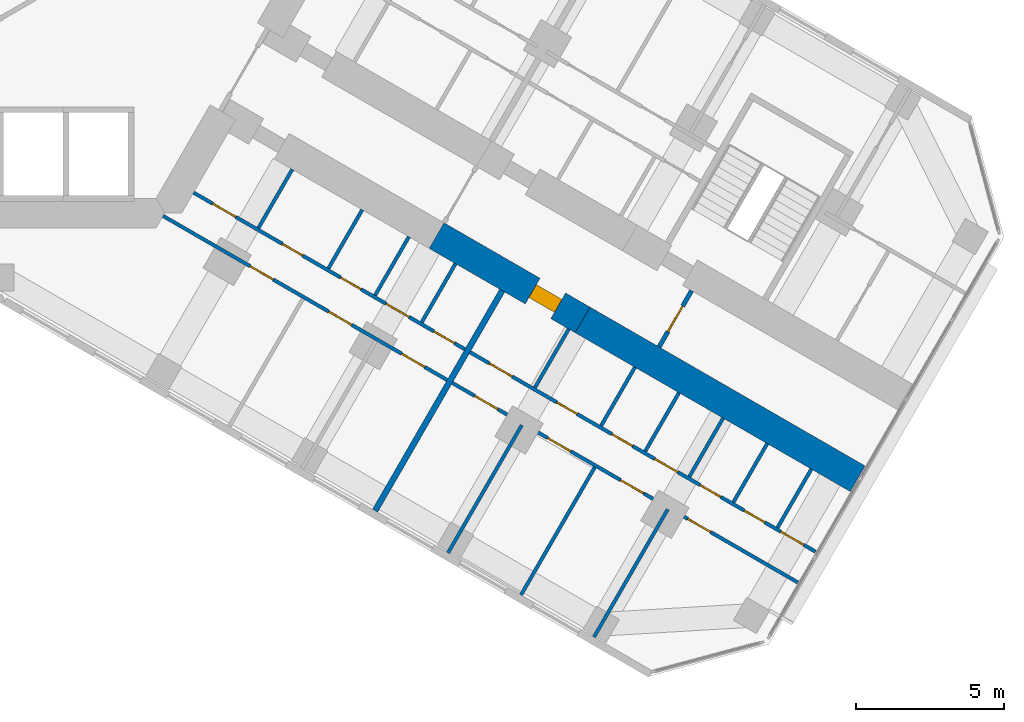
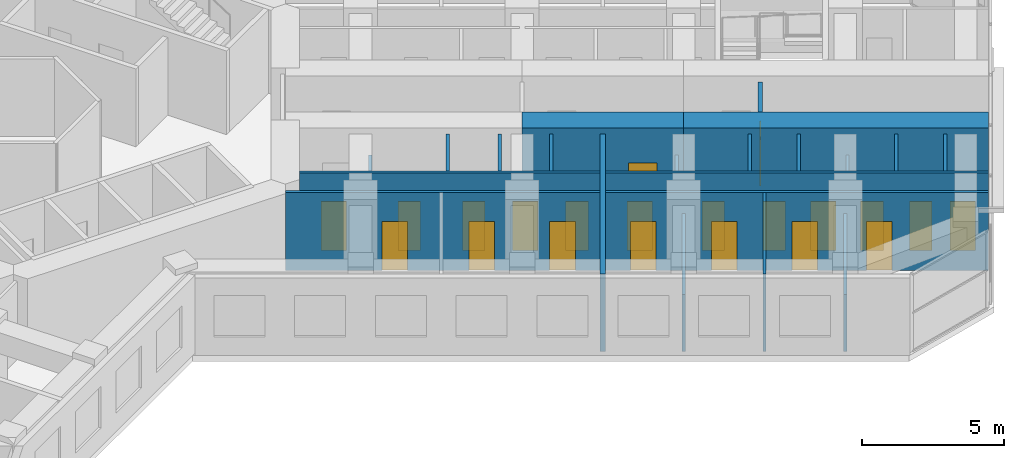
# One storey, part 14 of 21: 21 doors, 21 walls, 21 openings.
"""IFC4 building model written with IfcOpenShell, lengths in metres."""

import ifcopenshell
import ifcopenshell.guid

model = None  # the IFC model being written
_history = None  # IfcOwnerHistory: only IFC2X3 demands one
_inside = {}  # id of a spatial element -> (the spatial element, [elements in it])
_under = {}  # id of a project, library or spatial element -> (it, [spatial elements below it])
_declared = {}  # id of a project -> (the project, [libraries it declares])
_typed = {}  # id of a type object -> (the type object, [elements of that type])
_made_of = {}  # id of a material, layer set ... -> (it, [elements and type objects made of it])


def new_model(schema):
    """Start an empty IFC model of exactly this schema.

    Asked for "IFC4X3", IfcOpenShell would pick the latest addendum, in which some entities
    have other attributes; the version numbers below select the first issue.
    IFC2X3 requires an IfcOwnerHistory on every rooted entity: one is made here for all.
    """
    global model, _history
    if schema == "IFC4X3":
        model = ifcopenshell.file(schema_version=(4, 3, 0, 0))
    else:
        model = ifcopenshell.file(schema=schema)
    _inside.clear()
    _under.clear()
    _declared.clear()
    _typed.clear()
    _made_of.clear()
    _history = None
    if model.schema == "IFC2X3":
        org = make("IfcOrganization", Name="unknown")
        user = make(
            "IfcPersonAndOrganization",
            ThePerson=make("IfcPerson", FamilyName="unknown"),
            TheOrganization=org,
        )
        app = make(
            "IfcApplication",
            ApplicationDeveloper=org,
            Version="unknown",
            ApplicationFullName="unknown",
            ApplicationIdentifier="unknown",
        )
        _history = make(
            "IfcOwnerHistory",
            OwningUser=user,
            OwningApplication=app,
            ChangeAction="ADDED",
            CreationDate=0,
        )
    return model


def make(cls, **values):
    """One entity of the class cls with the attributes given. An attribute that is None is left unset."""
    return model.create_entity(
        cls, **{name: value for name, value in values.items() if value is not None}
    )


def rooted(cls, **values):
    """An entity with a GlobalId (a new one), such as an element, a storey or a relation."""
    return make(cls, GlobalId=ifcopenshell.guid.new(), OwnerHistory=_history, **values)


def si_unit(unit_type, name, prefix=None):
    """IfcSIUnit, for example si_unit("LENGTHUNIT", "METRE", prefix="MILLI")."""
    return make("IfcSIUnit", UnitType=unit_type, Prefix=prefix, Name=name)


def assignment(units):
    """IfcUnitAssignment: the units of a project."""
    return None if units is None else make("IfcUnitAssignment", Units=units)


def point(xyz):
    """IfcCartesianPoint."""
    return None if xyz is None else make("IfcCartesianPoint", Coordinates=xyz)


def direction(xyz):
    """IfcDirection."""
    return None if xyz is None else make("IfcDirection", DirectionRatios=xyz)


def frame(location, z_axis=None, x_axis=None):
    """IfcAxis2Placement3D, a coordinate frame: its origin and axes. An axis left out is left unset."""
    return make(
        "IfcAxis2Placement3D",
        Location=point(location),
        Axis=direction(z_axis),
        RefDirection=direction(x_axis),
    )


def frame_2d(location, x_axis=None):
    """IfcAxis2Placement2D, a coordinate frame in the plane: its origin and x axis."""
    return make(
        "IfcAxis2Placement2D", Location=point(location), RefDirection=direction(x_axis)
    )


def origin():
    """The frame at (0, 0, 0) with its axes left unset."""
    return frame((0.0, 0.0, 0.0))


def place(relative_to, where):
    """IfcLocalPlacement: puts the frame where relative to a parent placement (None: the world)."""
    return make(
        "IfcLocalPlacement", PlacementRelTo=relative_to, RelativePlacement=where
    )


def context(
    kind, dimensions, precision=None, world=None, true_north=None, identifier=None
):
    """IfcGeometricRepresentationContext, for example the 3D "Model" context."""
    return make(
        "IfcGeometricRepresentationContext",
        ContextIdentifier=identifier,
        ContextType=kind,
        CoordinateSpaceDimension=dimensions,
        Precision=precision,
        WorldCoordinateSystem=world,
        TrueNorth=true_north,
    )


def subcontext(parent, identifier, kind, view, scale=None):
    """IfcGeometricRepresentationSubContext, for example "Body" below "Model"."""
    return make(
        "IfcGeometricRepresentationSubContext",
        ContextIdentifier=identifier,
        ContextType=kind,
        ParentContext=parent,
        TargetScale=scale,
        TargetView=view,
    )


def project(units=None, contexts=None):
    """IfcProject with its units and contexts."""
    return rooted(
        "IfcProject",
        Name="project",
        RepresentationContexts=contexts,
        UnitsInContext=assignment(units),
    )


def spatial(cls, under=None, at=None, **own):
    """A site, building, storey or space (cls), placed at a placement, below another one or the project."""
    s = rooted(cls, ObjectPlacement=at, **own)
    if under is not None:
        _under.setdefault(under.id(), (under, []))[1].append(s)
    return s


def profile(cls, at=None, kind="AREA", **sizes):
    """A parametric profile (cls). Its sizes go by their IFC names, for example OverallWidth=200.0."""
    return make(cls, ProfileType=kind, Position=at, **sizes)


def rectangle(**sizes):
    """IfcRectangleProfileDef."""
    return profile("IfcRectangleProfileDef", **sizes)


def extrude(swept, where, along, depth):
    """IfcExtrudedAreaSolid: the profile swept, set in the frame where, extruded along a direction by depth."""
    return make(
        "IfcExtrudedAreaSolid",
        SweptArea=swept,
        Position=where,
        ExtrudedDirection=direction(along),
        Depth=depth,
    )


def shape(context_of_items, identifier, shape_type, items):
    """IfcShapeRepresentation: the items that make up one representation, for example the "Body"."""
    return make(
        "IfcShapeRepresentation",
        ContextOfItems=context_of_items,
        RepresentationIdentifier=identifier,
        RepresentationType=shape_type,
        Items=items,
    )


def material(Name=None, Category=None):
    """IfcMaterial."""
    return make("IfcMaterial", Name=Name, Category=Category)


def layer(
    of_material, thickness, ventilated=None, Name=None, Category=None, Priority=None
):
    """IfcMaterialLayer: one layer of a wall or slab, of a material (None: an air gap)."""
    return make(
        "IfcMaterialLayer",
        Material=of_material,
        LayerThickness=thickness,
        IsVentilated=ventilated,
        Name=Name,
        Category=Category,
        Priority=Priority,
    )


def layer_set(layers, Name=None):
    """IfcMaterialLayerSet."""
    return make("IfcMaterialLayerSet", MaterialLayers=layers, LayerSetName=Name)


def made_of(thing, what):
    """Note that an element or type object is made of a material, layer set ...; save() writes the relation."""
    if what is not None:
        _made_of.setdefault(what.id(), (what, []))[1].append(thing)
    return thing


def type_object(cls, material=None, **own):
    """A type object (cls), such as IfcWallType, which elements share."""
    return made_of(rooted(cls, **own), material)


def element(
    cls,
    number,
    at=None,
    inside=None,
    cuts=None,
    type_object=None,
    material=None,
    context=None,
    identifier="Body",
    shape_type=None,
    held_by="IfcProductDefinitionShape",
    body=None,
    shapes=None,
    **own,
):
    """One element of the class cls, such as IfcWall. Its Tag is "e" and its number.

    at: its placement. inside: the storey or other place that contains it. cuts: it is an
    opening in that element (IfcRelVoidsElement). A single representation is given by context,
    identifier, shape_type and body (its items); several are given by shapes. held_by: the class
    of the entity that holds the representations. save() writes the other relations.
    """
    e = rooted(cls, Tag="e%d" % number, ObjectPlacement=at, **own)
    if body is not None:
        shapes = [shape(context, identifier, shape_type, body)]
    if shapes is not None:
        e.Representation = make(held_by, Representations=shapes)
    if inside is not None:
        _inside.setdefault(inside.id(), (inside, []))[1].append(e)
    if cuts is not None:
        rooted(
            "IfcRelVoidsElement", RelatingBuildingElement=cuts, RelatedOpeningElement=e
        )
    if type_object is not None:
        _typed.setdefault(type_object.id(), (type_object, []))[1].append(e)
    return made_of(e, material)


def fill(opening, filler):
    """IfcRelFillsElement: the door or window that sits in an opening."""
    return rooted(
        "IfcRelFillsElement",
        RelatingOpeningElement=opening,
        RelatedBuildingElement=filler,
    )


def aggregate(whole, parts):
    """IfcRelAggregates: a whole, such as a stair, and the parts it consists of."""
    return rooted("IfcRelAggregates", RelatingObject=whole, RelatedObjects=parts)


def save(model, path):
    """Write the relations noted so far, then the file.

    IfcRelAggregates (storeys below a building ...), IfcRelContainedInSpatialStructure (elements
    in a storey), IfcRelDefinesByType, IfcRelAssociatesMaterial and IfcRelDeclares: one each for
    every whole, place, type object, material and project.
    """
    for whole, parts in _under.values():
        aggregate(whole, parts)
    for where, things in _inside.values():
        rooted(
            "IfcRelContainedInSpatialStructure",
            RelatedElements=things,
            RelatingStructure=where,
        )
    for kind, things in _typed.values():
        rooted("IfcRelDefinesByType", RelatedObjects=things, RelatingType=kind)
    for what, things in _made_of.values():
        rooted("IfcRelAssociatesMaterial", RelatedObjects=things, RelatingMaterial=what)
    for by, libraries in _declared.values():
        rooted("IfcRelDeclares", RelatingContext=by, RelatedDefinitions=libraries)
    model.write(path)


model = new_model("IFC4")

# Units and contexts
model_context = context("Model", 3, precision=1e-05, world=origin(), true_north=direction((0.0, 1.0)))
body_context = subcontext(model_context, "Body", "Model", "MODEL_VIEW")
ifc_project = project(units=[si_unit("LENGTHUNIT", "METRE"), si_unit("AREAUNIT", "SQUARE_METRE"), si_unit("VOLUMEUNIT", "CUBIC_METRE"), si_unit("PLANEANGLEUNIT", "RADIAN"), si_unit("MASSUNIT", "GRAM", prefix="KILO")], contexts=[model_context])

# Site, building, storey
site_placement = place(None, origin())
site = spatial("IfcSite", under=ifc_project, at=site_placement, CompositionType="ELEMENT")
building_placement = place(site_placement, origin())
building = spatial("IfcBuilding", under=site, at=building_placement, Name="Kosmar Iwan School Tower", CompositionType="ELEMENT")
storey_placement = place(building_placement, frame((0.0, 0.0, 102.39990234375)))
storey = spatial("IfcBuildingStorey", under=building, at=storey_placement, Name="L25", CompositionType="ELEMENT", Elevation=102.39990234375)

# Wall, opening, door
ifc_material_1 = material(Name="Concrete C50/60", Category="concrete")
ifc_layer_1 = layer(ifc_material_1, 1.0)
ifc_layer_set_1 = layer_set([ifc_layer_1], Name="Corridor buttress wall 1000")
wall_type_1 = type_object("IfcWallType", Name="Corridor buttress wall 1000", PredefinedType="SHEAR", material=ifc_layer_set_1)
wall_1_placement = place(storey_placement, frame((14.7451171875, -10.360595703125, 0.0), z_axis=(0.0, 0.0, 1.0), x_axis=(0.866015111908, -0.50001782563, 0.0)))
wall_1 = element("IfcWall", 1, at=wall_1_placement, inside=storey, type_object=wall_type_1, Name="Corridor wall CR bay 2", PredefinedType="SHEAR", context=body_context, shape_type="SweptSolid", body=[
    extrude(rectangle(XDim=5.699951171875, YDim=1.0, at=frame_2d((2.85009765625, 0.0))), origin(), (0.0, 0.0, 1.0), 3.60009765625),
])
opening_1_placement = place(wall_1_placement, frame((3.75, 0.0, 0.0)))
opening_1 = element("IfcOpeningElement", 2, at=opening_1_placement, cuts=wall_1, Name="Opening D1", PredefinedType="OPENING", context=body_context, shape_type="SweptSolid", body=[
    extrude(rectangle(XDim=1.0, YDim=2.10009765625, at=frame_2d((0.5, 1.050048828125))), frame((0.0, 0.511962890625, 0.0), z_axis=(0.0, -1.0, 0.0), x_axis=(1.0, 0.0, 0.0)), (0.0, 0.0, 1.0), 1.02392578125),
])
ifc_material_2 = material(Name="Timber fire door in steel frame", Category="steel")
door_type_1 = type_object("IfcDoorType", Name="Flat entrance door 1000x2100", OperationType="SINGLE_SWING_LEFT", PredefinedType="DOOR", material=ifc_material_2)
door_1_placement = place(opening_1_placement, origin())
door_1 = element("IfcDoor", 3, at=door_1_placement, inside=storey, type_object=door_type_1, Name="Flat L25-CR2 entrance door", OperationType="SINGLE_SWING_RIGHT", OverallHeight=2.10009765625, OverallWidth=1.0, PredefinedType="DOOR", context=body_context, shape_type="SweptSolid", body=[
    extrude(rectangle(XDim=1.0, YDim=2.10009765625, at=frame_2d((0.5, 1.050048828125))), frame((0.0, 0.25, 0.0), z_axis=(0.0, -1.0, 0.0), x_axis=(1.0, 0.0, 0.0)), (0.0, 0.0, 1.0), 0.5),
])
fill(opening_1, door_1)

# Wall
wall_2_placement = place(storey_placement, frame((19.681396484375, -13.210693359375, 0.0), z_axis=(0.0, 0.0, 1.0), x_axis=(0.866028186671, -0.499995179869, 0.0)))
element("IfcWall", 4, at=wall_2_placement, inside=storey, type_object=wall_type_1, Name="Corridor wall CR bay 3", PredefinedType="SHEAR", context=body_context, shape_type="SweptSolid", body=[
    extrude(rectangle(XDim=10.7451171875, YDim=1.0, at=frame_2d((5.37255859375, 0.0))), origin(), (0.0, 0.0, 1.0), 3.60009765625),
])

# Wall, opening, door
ifc_material_3 = material(Name="Gypsum board on steel studs, fire-rated", Category="steel")
ifc_layer_2 = layer(ifc_material_3, 0.14990234375)
ifc_layer_set_2 = layer_set([ifc_layer_2], Name="Corridor end wall 150")
wall_type_2 = type_object("IfcWallType", Name="Corridor end wall 150", PredefinedType="PARTITIONING", material=ifc_layer_set_2)
wall_3_placement = place(storey_placement, frame((22.269775390625, -14.127685546875, 0.0), z_axis=(0.0, 0.0, 1.0), x_axis=(0.50002983664, 0.866008176907, 0.0)))
wall_3 = element("IfcWall", 5, at=wall_3_placement, inside=storey, type_object=wall_type_2, Name="Partition L25-C-CE", PredefinedType="PARTITIONING", context=body_context, shape_type="SweptSolid", body=[
    extrude(rectangle(XDim=2.199951171875, YDim=0.14990234375, at=frame_2d((1.10009765625, 0.0))), origin(), (0.0, 0.0, 1.0), 3.35009765625),
])
opening_2_placement = place(wall_3_placement, frame((0.60009765625, 0.0, 0.0)))
opening_2 = element("IfcOpeningElement", 6, at=opening_2_placement, cuts=wall_3, Name="Opening D13", PredefinedType="OPENING", context=body_context, shape_type="SweptSolid", body=[
    extrude(rectangle(XDim=1.0, YDim=2.10009765625, at=frame_2d((0.5, 1.050048828125))), frame((0.0, 0.0869140625, 0.0), z_axis=(0.0, -1.0, 0.0), x_axis=(1.0, 0.0, 0.0)), (0.0, 0.0, 1.0), 0.173828125),
])
ifc_material_4 = material(Name="Timber fire door with vision panel", Category="wood")
door_type_2 = type_object("IfcDoorType", Name="Corridor end door 1000x2100", OperationType="SINGLE_SWING_LEFT", PredefinedType="DOOR", material=ifc_material_4)
door_2_placement = place(opening_2_placement, origin())
door_2 = element("IfcDoor", 7, at=door_2_placement, inside=storey, type_object=door_type_2, Name="Hobby workshop door L25-C", OperationType="SINGLE_SWING_LEFT", OverallHeight=2.10009765625, OverallWidth=1.0, PredefinedType="DOOR", context=body_context, shape_type="SweptSolid", body=[
    extrude(rectangle(XDim=1.0, YDim=2.10009765625, at=frame_2d((0.5, 1.050048828125))), frame((0.0, 0.02490234375, 0.0), z_axis=(0.0, -1.0, 0.0), x_axis=(1.0, 0.0, 0.0)), (0.0, 0.0, 1.0), 0.050048828125),
])
fill(opening_2, door_2)

# Wall, openings, doors
ifc_material_5 = material(Name="Gypsum board on steel studs", Category="steel")
ifc_layer_3 = layer(ifc_material_5, 0.1201171875)
ifc_layer_set_3 = layer_set([ifc_layer_3], Name="Dwelling partition 120")
wall_type_3 = type_object("IfcWallType", Name="Dwelling partition 120", PredefinedType="PARTITIONING", material=ifc_layer_set_3)
wall_4_placement = place(storey_placement, frame((6.521728515625, -8.90380859375, 0.0), z_axis=(0.0, 0.0, 1.0), x_axis=(0.866024879913, -0.50000090737, 0.0)))
wall_4 = element("IfcWall", 8, at=wall_4_placement, inside=storey, type_object=wall_type_3, Name="Partition L25-CR1-W1", PredefinedType="PARTITIONING", context=body_context, shape_type="SweptSolid", body=[
    extrude(rectangle(XDim=10.60009765625, YDim=0.1201171875, at=frame_2d((5.300048828125, 0.0))), origin(), (0.0, 0.0, 1.0), 3.35009765625),
])
opening_3_placement = place(wall_4_placement, frame((0.75, 0.0, 0.0)))
opening_3 = element("IfcOpeningElement", 9, at=opening_3_placement, cuts=wall_4, Name="Opening D2", PredefinedType="OPENING", context=body_context, shape_type="SweptSolid", body=[
    extrude(rectangle(XDim=0.89990234375, YDim=2.10009765625, at=frame_2d((0.449951171875, 1.050048828125))), frame((0.0, 0.072021484375, 0.0), z_axis=(0.0, -1.0, 0.0), x_axis=(1.0, 0.0, 0.0)), (0.0, 0.0, 1.0), 0.14404296875),
])
opening_4_placement = place(wall_4_placement, frame((3.466796875, 0.0, 0.0)))
opening_4 = element("IfcOpeningElement", 10, at=opening_4_placement, cuts=wall_4, Name="Opening D3", PredefinedType="OPENING", context=body_context, shape_type="SweptSolid", body=[
    extrude(rectangle(XDim=0.800048828125, YDim=2.10009765625, at=frame_2d((0.39990234375, 1.050048828125))), frame((0.0, 0.072021484375, 0.0), z_axis=(0.0, -1.0, 0.0), x_axis=(1.0, 0.0, 0.0)), (0.0, 0.0, 1.0), 0.14404296875),
])
opening_5_placement = place(wall_4_placement, frame((5.744384765625, 0.0, 0.0)))
opening_5 = element("IfcOpeningElement", 11, at=opening_5_placement, cuts=wall_4, Name="Opening D3", PredefinedType="OPENING", context=body_context, shape_type="SweptSolid", body=[
    extrude(rectangle(XDim=0.800048828125, YDim=2.10009765625, at=frame_2d((0.39990234375, 1.050048828125))), frame((0.0, 0.072021484375, 0.0), z_axis=(0.0, -1.0, 0.0), x_axis=(1.0, 0.0, 0.0)), (0.0, 0.0, 1.0), 0.14404296875),
])
opening_6_placement = place(wall_4_placement, frame((7.5166015625, 0.0, 0.0)))
opening_6 = element("IfcOpeningElement", 12, at=opening_6_placement, cuts=wall_4, Name="Opening D2", PredefinedType="OPENING", context=body_context, shape_type="SweptSolid", body=[
    extrude(rectangle(XDim=0.89990234375, YDim=2.10009765625, at=frame_2d((0.449951171875, 1.050048828125))), frame((0.0, 0.072021484375, 0.0), z_axis=(0.0, -1.0, 0.0), x_axis=(1.0, 0.0, 0.0)), (0.0, 0.0, 1.0), 0.14404296875),
])
opening_7_placement = place(wall_4_placement, frame((9.388916015625, 0.0, 0.0)))
opening_7 = element("IfcOpeningElement", 13, at=opening_7_placement, cuts=wall_4, Name="Opening D3", PredefinedType="OPENING", context=body_context, shape_type="SweptSolid", body=[
    extrude(rectangle(XDim=0.800048828125, YDim=2.10009765625, at=frame_2d((0.39990234375, 1.050048828125))), frame((0.0, 0.072021484375, 0.0), z_axis=(0.0, -1.0, 0.0), x_axis=(1.0, 0.0, 0.0)), (0.0, 0.0, 1.0), 0.14404296875),
])
ifc_material_6 = material(Name="Timber door in timber frame", Category="wood")
door_type_3 = type_object("IfcDoorType", Name="Internal door 900x2100", OperationType="SINGLE_SWING_LEFT", PredefinedType="DOOR", material=ifc_material_6)
door_3_placement = place(opening_3_placement, origin())
door_3 = element("IfcDoor", 14, at=door_3_placement, inside=storey, type_object=door_type_3, Name="Entrance hall door L25-CR1-S1", OperationType="SINGLE_SWING_LEFT", OverallHeight=2.10009765625, OverallWidth=0.89990234375, PredefinedType="DOOR", context=body_context, shape_type="SweptSolid", body=[
    extrude(rectangle(XDim=0.89990234375, YDim=2.10009765625, at=frame_2d((0.449951171875, 1.050048828125))), frame((0.0, 0.02490234375, 0.0), z_axis=(0.0, -1.0, 0.0), x_axis=(1.0, 0.0, 0.0)), (0.0, 0.0, 1.0), 0.050048828125),
])
fill(opening_3, door_3)
door_4_placement = place(opening_6_placement, origin())
door_4 = element("IfcDoor", 15, at=door_4_placement, inside=storey, type_object=door_type_3, Name="Pantry door L25-CR1-S4", OperationType="SINGLE_SWING_RIGHT", OverallHeight=2.10009765625, OverallWidth=0.89990234375, PredefinedType="DOOR", context=body_context, shape_type="SweptSolid", body=[
    extrude(rectangle(XDim=0.89990234375, YDim=2.10009765625, at=frame_2d((0.449951171875, 1.050048828125))), frame((0.0, 0.02490234375, 0.0), z_axis=(0.0, -1.0, 0.0), x_axis=(1.0, 0.0, 0.0)), (0.0, 0.0, 1.0), 0.050048828125),
])
fill(opening_6, door_4)
ifc_material_7 = material(Name="Timber door in timber frame", Category="wood")
door_type_4 = type_object("IfcDoorType", Name="Sanitary room door 800x2100", OperationType="SINGLE_SWING_LEFT", PredefinedType="DOOR", material=ifc_material_7)
door_5_placement = place(opening_4_placement, origin())
door_5 = element("IfcDoor", 16, at=door_5_placement, inside=storey, type_object=door_type_4, Name="Bathroom door L25-CR1-S2", OperationType="SINGLE_SWING_RIGHT", OverallHeight=2.10009765625, OverallWidth=0.800048828125, PredefinedType="DOOR", context=body_context, shape_type="SweptSolid", body=[
    extrude(rectangle(XDim=0.800048828125, YDim=2.10009765625, at=frame_2d((0.39990234375, 1.050048828125))), frame((0.0, 0.02490234375, 0.0), z_axis=(0.0, -1.0, 0.0), x_axis=(1.0, 0.0, 0.0)), (0.0, 0.0, 1.0), 0.050048828125),
])
fill(opening_4, door_5)
door_6_placement = place(opening_5_placement, origin())
door_6 = element("IfcDoor", 17, at=door_6_placement, inside=storey, type_object=door_type_4, Name="Shower room door L25-CR1-S3", OperationType="SINGLE_SWING_LEFT", OverallHeight=2.10009765625, OverallWidth=0.800048828125, PredefinedType="DOOR", context=body_context, shape_type="SweptSolid", body=[
    extrude(rectangle(XDim=0.800048828125, YDim=2.10009765625, at=frame_2d((0.39990234375, 1.050048828125))), frame((0.0, 0.02490234375, 0.0), z_axis=(0.0, -1.0, 0.0), x_axis=(1.0, 0.0, 0.0)), (0.0, 0.0, 1.0), 0.050048828125),
])
fill(opening_5, door_6)
door_7_placement = place(opening_7_placement, origin())
door_7 = element("IfcDoor", 18, at=door_7_placement, inside=storey, type_object=door_type_4, Name="WC door L25-CR1-S5", OperationType="SINGLE_SWING_RIGHT", OverallHeight=2.10009765625, OverallWidth=0.800048828125, PredefinedType="DOOR", context=body_context, shape_type="SweptSolid", body=[
    extrude(rectangle(XDim=0.800048828125, YDim=2.10009765625, at=frame_2d((0.39990234375, 1.050048828125))), frame((0.0, 0.02490234375, 0.0), z_axis=(0.0, -1.0, 0.0), x_axis=(1.0, 0.0, 0.0)), (0.0, 0.0, 1.0), 0.050048828125),
])
fill(opening_7, door_7)

wall_5_placement = place(storey_placement, frame((5.48876953125, -9.693115234375, 0.0), z_axis=(0.0, 0.0, 1.0), x_axis=(0.866026992824, -0.499997247692, 0.0)))
wall_5 = element("IfcWall", 19, at=wall_5_placement, inside=storey, type_object=wall_type_3, Name="Partition L25-CR1-W2", PredefinedType="PARTITIONING", context=body_context, shape_type="SweptSolid", body=[
    extrude(rectangle(XDim=11.10009765625, YDim=0.1201171875, at=frame_2d((5.550048828125, 0.0))), origin(), (0.0, 0.0, 1.0), 3.35009765625),
])
opening_8_placement = place(wall_5_placement, frame((3.39990234375, 0.0, 0.0)))
opening_8 = element("IfcOpeningElement", 20, at=opening_8_placement, cuts=wall_5, Name="Opening D2", PredefinedType="OPENING", context=body_context, shape_type="SweptSolid", body=[
    extrude(rectangle(XDim=0.89990234375, YDim=2.10009765625, at=frame_2d((0.449951171875, 1.050048828125))), frame((0.0, 0.072021484375, 0.0), z_axis=(0.0, -1.0, 0.0), x_axis=(1.0, 0.0, 0.0)), (0.0, 0.0, 1.0), 0.14404296875),
])
opening_9_placement = place(wall_5_placement, frame((6.47509765625, 0.0, 0.0)))
opening_9 = element("IfcOpeningElement", 21, at=opening_9_placement, cuts=wall_5, Name="Opening D2", PredefinedType="OPENING", context=body_context, shape_type="SweptSolid", body=[
    extrude(rectangle(XDim=0.89990234375, YDim=2.10009765625, at=frame_2d((0.449951171875, 1.050048828125))), frame((0.0, 0.072021484375, 0.0), z_axis=(0.0, -1.0, 0.0), x_axis=(1.0, 0.0, 0.0)), (0.0, 0.0, 1.0), 0.14404296875),
])
opening_10_placement = place(wall_5_placement, frame((9.324951171875, 0.0, 0.0)))
opening_10 = element("IfcOpeningElement", 22, at=opening_10_placement, cuts=wall_5, Name="Opening D2", PredefinedType="OPENING", context=body_context, shape_type="SweptSolid", body=[
    extrude(rectangle(XDim=0.89990234375, YDim=2.10009765625, at=frame_2d((0.449951171875, 1.050048828125))), frame((0.0, 0.072021484375, 0.0), z_axis=(0.0, -1.0, 0.0), x_axis=(1.0, 0.0, 0.0)), (0.0, 0.0, 1.0), 0.14404296875),
])
door_8_placement = place(opening_8_placement, origin())
door_8 = element("IfcDoor", 23, at=door_8_placement, inside=storey, type_object=door_type_3, Name="Living room and kitchen door L25-CR1-F1", OperationType="SINGLE_SWING_LEFT", OverallHeight=2.10009765625, OverallWidth=0.89990234375, PredefinedType="DOOR", context=body_context, shape_type="SweptSolid", body=[
    extrude(rectangle(XDim=0.89990234375, YDim=2.10009765625, at=frame_2d((0.449951171875, 1.050048828125))), frame((0.0, 0.02490234375, 0.0), z_axis=(0.0, -1.0, 0.0), x_axis=(1.0, 0.0, 0.0)), (0.0, 0.0, 1.0), 0.050048828125),
])
fill(opening_8, door_8)
door_9_placement = place(opening_9_placement, origin())
door_9 = element("IfcDoor", 24, at=door_9_placement, inside=storey, type_object=door_type_3, Name="Bedroom 1 door L25-CR1-F2", OperationType="SINGLE_SWING_RIGHT", OverallHeight=2.10009765625, OverallWidth=0.89990234375, PredefinedType="DOOR", context=body_context, shape_type="SweptSolid", body=[
    extrude(rectangle(XDim=0.89990234375, YDim=2.10009765625, at=frame_2d((0.449951171875, 1.050048828125))), frame((0.0, 0.02490234375, 0.0), z_axis=(0.0, -1.0, 0.0), x_axis=(1.0, 0.0, 0.0)), (0.0, 0.0, 1.0), 0.050048828125),
])
fill(opening_9, door_9)
door_10_placement = place(opening_10_placement, origin())
door_10 = element("IfcDoor", 25, at=door_10_placement, inside=storey, type_object=door_type_3, Name="Bedroom 2 door L25-CR1-F3", OperationType="SINGLE_SWING_RIGHT", OverallHeight=2.10009765625, OverallWidth=0.89990234375, PredefinedType="DOOR", context=body_context, shape_type="SweptSolid", body=[
    extrude(rectangle(XDim=0.89990234375, YDim=2.10009765625, at=frame_2d((0.449951171875, 1.050048828125))), frame((0.0, 0.02490234375, 0.0), z_axis=(0.0, -1.0, 0.0), x_axis=(1.0, 0.0, 0.0)), (0.0, 0.0, 1.0), 0.050048828125),
])
fill(opening_10, door_10)

# Walls
wall_6_placement = place(storey_placement, frame((9.86181640625, -8.11865234375, 0.0), z_axis=(0.0, 0.0, 1.0), x_axis=(-0.500014693593, -0.866016920268, 0.0)))
element("IfcWall", 26, at=wall_6_placement, inside=storey, type_object=wall_type_3, Name="Partition L25-CR1-Y1", PredefinedType="PARTITIONING", context=body_context, shape_type="SweptSolid", body=[
    extrude(rectangle(XDim=2.2900390625, YDim=0.1201171875, at=frame_2d((1.14501953125, 0.0))), origin(), (0.0, 0.0, 1.0), 2.4501953125),
])
for number, where, z_axis, x_axis, name in (
    (27, (12.22900390625, -9.4853515625, 0.0), (0.0, 0.0, 1.0), (-0.500014693593, -0.866016920268, 0.0), "Partition L25-CR1-Y2"),
    (28, (13.80712890625, -10.396484375, 0.0), (0.0, 0.0, 1.0), (-0.500014693593, -0.866016920268, 0.0), "Partition L25-CR1-Y3"),
    (29, (15.38525390625, -11.3076171875, 0.0), (0.0, 0.0, 1.0), (-0.500014693593, -0.866016920268, 0.0), "Partition L25-CR1-Y4"),
):
    element("IfcWall", number, at=place(storey_placement, frame(where, z_axis=z_axis, x_axis=x_axis)), inside=storey, type_object=wall_type_3, Name=name, PredefinedType="PARTITIONING", context=body_context, shape_type="SweptSolid", body=[
        extrude(rectangle(XDim=2.2900390625, YDim=0.1201171875, at=frame_2d((1.14501953125, 0.0))), origin(), (0.0, 0.0, 1.0), 3.35009765625),
    ])

# Wall, openings, doors
wall_7_placement = place(storey_placement, frame((15.875, -14.3037109375, 0.0), z_axis=(0.0, 0.0, 1.0), x_axis=(0.866023503214, -0.50000329187, 0.0)))
wall_7 = element("IfcWall", 30, at=wall_7_placement, inside=storey, type_object=wall_type_3, Name="Partition L25-CR2-W1", PredefinedType="PARTITIONING", context=body_context, shape_type="SweptSolid", body=[
    extrude(rectangle(XDim=13.4951171875, YDim=0.1201171875, at=frame_2d((6.74755859375, 0.0))), origin(), (0.0, 0.0, 1.0), 3.35009765625),
])
opening_11_placement = place(wall_7_placement, frame((0.75, 0.0, 0.0)))
opening_11 = element("IfcOpeningElement", 31, at=opening_11_placement, cuts=wall_7, Name="Opening D2", PredefinedType="OPENING", context=body_context, shape_type="SweptSolid", body=[
    extrude(rectangle(XDim=0.89990234375, YDim=2.10009765625, at=frame_2d((0.449951171875, 1.050048828125))), frame((0.0, 0.072021484375, 0.0), z_axis=(0.0, -1.0, 0.0), x_axis=(1.0, 0.0, 0.0)), (0.0, 0.0, 1.0), 0.14404296875),
])
opening_12_placement = place(wall_7_placement, frame((3.392333984375, 0.0, 0.0)))
opening_12 = element("IfcOpeningElement", 32, at=opening_12_placement, cuts=wall_7, Name="Opening D3", PredefinedType="OPENING", context=body_context, shape_type="SweptSolid", body=[
    extrude(rectangle(XDim=0.800048828125, YDim=2.10009765625, at=frame_2d((0.39990234375, 1.050048828125))), frame((0.0, 0.072021484375, 0.0), z_axis=(0.0, -1.0, 0.0), x_axis=(1.0, 0.0, 0.0)), (0.0, 0.0, 1.0), 0.14404296875),
])
opening_13_placement = place(wall_7_placement, frame((5.546142578125, 0.0, 0.0)))
opening_13 = element("IfcOpeningElement", 33, at=opening_13_placement, cuts=wall_7, Name="Opening D3", PredefinedType="OPENING", context=body_context, shape_type="SweptSolid", body=[
    extrude(rectangle(XDim=0.800048828125, YDim=2.10009765625, at=frame_2d((0.39990234375, 1.050048828125))), frame((0.0, 0.072021484375, 0.0), z_axis=(0.0, -1.0, 0.0), x_axis=(1.0, 0.0, 0.0)), (0.0, 0.0, 1.0), 0.14404296875),
])
opening_14_placement = place(wall_7_placement, frame((7.21923828125, 0.0, 0.0)))
opening_14 = element("IfcOpeningElement", 34, at=opening_14_placement, cuts=wall_7, Name="Opening D2", PredefinedType="OPENING", context=body_context, shape_type="SweptSolid", body=[
    extrude(rectangle(XDim=0.89990234375, YDim=2.10009765625, at=frame_2d((0.449951171875, 1.050048828125))), frame((0.0, 0.072021484375, 0.0), z_axis=(0.0, -1.0, 0.0), x_axis=(1.0, 0.0, 0.0)), (0.0, 0.0, 1.0), 0.14404296875),
])
opening_15_placement = place(wall_7_placement, frame((8.992431640625, 0.0, 0.0)))
opening_15 = element("IfcOpeningElement", 35, at=opening_15_placement, cuts=wall_7, Name="Opening D3", PredefinedType="OPENING", context=body_context, shape_type="SweptSolid", body=[
    extrude(rectangle(XDim=0.800048828125, YDim=2.10009765625, at=frame_2d((0.39990234375, 1.050048828125))), frame((0.0, 0.072021484375, 0.0), z_axis=(0.0, -1.0, 0.0), x_axis=(1.0, 0.0, 0.0)), (0.0, 0.0, 1.0), 0.14404296875),
])
opening_16_placement = place(wall_7_placement, frame((10.71533203125, 0.0, 0.0)))
opening_16 = element("IfcOpeningElement", 36, at=opening_16_placement, cuts=wall_7, Name="Opening D3", PredefinedType="OPENING", context=body_context, shape_type="SweptSolid", body=[
    extrude(rectangle(XDim=0.800048828125, YDim=2.10009765625, at=frame_2d((0.39990234375, 1.050048828125))), frame((0.0, 0.072021484375, 0.0), z_axis=(0.0, -1.0, 0.0), x_axis=(1.0, 0.0, 0.0)), (0.0, 0.0, 1.0), 0.14404296875),
])
opening_17_placement = place(wall_7_placement, frame((12.136962890625, 0.0, 0.0)))
opening_17 = element("IfcOpeningElement", 37, at=opening_17_placement, cuts=wall_7, Name="Opening D2", PredefinedType="OPENING", context=body_context, shape_type="SweptSolid", body=[
    extrude(rectangle(XDim=0.89990234375, YDim=2.10009765625, at=frame_2d((0.449951171875, 1.050048828125))), frame((0.0, 0.072021484375, 0.0), z_axis=(0.0, -1.0, 0.0), x_axis=(1.0, 0.0, 0.0)), (0.0, 0.0, 1.0), 0.14404296875),
])
door_11_placement = place(opening_11_placement, origin())
door_11 = element("IfcDoor", 38, at=door_11_placement, inside=storey, type_object=door_type_3, Name="Entrance hall door L25-CR2-S1", OperationType="SINGLE_SWING_LEFT", OverallHeight=2.10009765625, OverallWidth=0.89990234375, PredefinedType="DOOR", context=body_context, shape_type="SweptSolid", body=[
    extrude(rectangle(XDim=0.89990234375, YDim=2.10009765625, at=frame_2d((0.449951171875, 1.050048828125))), frame((0.0, 0.02490234375, 0.0), z_axis=(0.0, -1.0, 0.0), x_axis=(1.0, 0.0, 0.0)), (0.0, 0.0, 1.0), 0.050048828125),
])
fill(opening_11, door_11)
door_12_placement = place(opening_14_placement, origin())
door_12 = element("IfcDoor", 39, at=door_12_placement, inside=storey, type_object=door_type_3, Name="Pantry door L25-CR2-S4", OperationType="SINGLE_SWING_RIGHT", OverallHeight=2.10009765625, OverallWidth=0.89990234375, PredefinedType="DOOR", context=body_context, shape_type="SweptSolid", body=[
    extrude(rectangle(XDim=0.89990234375, YDim=2.10009765625, at=frame_2d((0.449951171875, 1.050048828125))), frame((0.0, 0.02490234375, 0.0), z_axis=(0.0, -1.0, 0.0), x_axis=(1.0, 0.0, 0.0)), (0.0, 0.0, 1.0), 0.050048828125),
])
fill(opening_14, door_12)
door_13_placement = place(opening_17_placement, origin())
door_13 = element("IfcDoor", 40, at=door_13_placement, inside=storey, type_object=door_type_3, Name="Utility room door L25-CR2-S7", OperationType="SINGLE_SWING_LEFT", OverallHeight=2.10009765625, OverallWidth=0.89990234375, PredefinedType="DOOR", context=body_context, shape_type="SweptSolid", body=[
    extrude(rectangle(XDim=0.89990234375, YDim=2.10009765625, at=frame_2d((0.449951171875, 1.050048828125))), frame((0.0, 0.02490234375, 0.0), z_axis=(0.0, -1.0, 0.0), x_axis=(1.0, 0.0, 0.0)), (0.0, 0.0, 1.0), 0.050048828125),
])
fill(opening_17, door_13)
door_14_placement = place(opening_12_placement, origin())
door_14 = element("IfcDoor", 41, at=door_14_placement, inside=storey, type_object=door_type_4, Name="Bathroom door L25-CR2-S2", OperationType="SINGLE_SWING_RIGHT", OverallHeight=2.10009765625, OverallWidth=0.800048828125, PredefinedType="DOOR", context=body_context, shape_type="SweptSolid", body=[
    extrude(rectangle(XDim=0.800048828125, YDim=2.10009765625, at=frame_2d((0.39990234375, 1.050048828125))), frame((0.0, 0.02490234375, 0.0), z_axis=(0.0, -1.0, 0.0), x_axis=(1.0, 0.0, 0.0)), (0.0, 0.0, 1.0), 0.050048828125),
])
fill(opening_12, door_14)
door_15_placement = place(opening_13_placement, origin())
door_15 = element("IfcDoor", 42, at=door_15_placement, inside=storey, type_object=door_type_4, Name="Shower room door L25-CR2-S3", OperationType="SINGLE_SWING_LEFT", OverallHeight=2.10009765625, OverallWidth=0.800048828125, PredefinedType="DOOR", context=body_context, shape_type="SweptSolid", body=[
    extrude(rectangle(XDim=0.800048828125, YDim=2.10009765625, at=frame_2d((0.39990234375, 1.050048828125))), frame((0.0, 0.02490234375, 0.0), z_axis=(0.0, -1.0, 0.0), x_axis=(1.0, 0.0, 0.0)), (0.0, 0.0, 1.0), 0.050048828125),
])
fill(opening_13, door_15)
door_16_placement = place(opening_15_placement, origin())
door_16 = element("IfcDoor", 43, at=door_16_placement, inside=storey, type_object=door_type_4, Name="WC door L25-CR2-S5", OperationType="SINGLE_SWING_LEFT", OverallHeight=2.10009765625, OverallWidth=0.800048828125, PredefinedType="DOOR", context=body_context, shape_type="SweptSolid", body=[
    extrude(rectangle(XDim=0.800048828125, YDim=2.10009765625, at=frame_2d((0.39990234375, 1.050048828125))), frame((0.0, 0.02490234375, 0.0), z_axis=(0.0, -1.0, 0.0), x_axis=(1.0, 0.0, 0.0)), (0.0, 0.0, 1.0), 0.050048828125),
])
fill(opening_15, door_16)
door_17_placement = place(opening_16_placement, origin())
door_17 = element("IfcDoor", 44, at=door_17_placement, inside=storey, type_object=door_type_4, Name="Store door L25-CR2-S6", OperationType="SINGLE_SWING_RIGHT", OverallHeight=2.10009765625, OverallWidth=0.800048828125, PredefinedType="DOOR", context=body_context, shape_type="SweptSolid", body=[
    extrude(rectangle(XDim=0.800048828125, YDim=2.10009765625, at=frame_2d((0.39990234375, 1.050048828125))), frame((0.0, 0.02490234375, 0.0), z_axis=(0.0, -1.0, 0.0), x_axis=(1.0, 0.0, 0.0)), (0.0, 0.0, 1.0), 0.050048828125),
])
fill(opening_16, door_17)

wall_8_placement = place(storey_placement, frame((15.27490234375, -15.343017578125, 0.0), z_axis=(0.0, 0.0, 1.0), x_axis=(0.866023503214, -0.50000329187, 0.0)))
wall_8 = element("IfcWall", 45, at=wall_8_placement, inside=storey, type_object=wall_type_3, Name="Partition L25-CR2-W2", PredefinedType="PARTITIONING", context=body_context, shape_type="SweptSolid", body=[
    extrude(rectangle(XDim=13.4951171875, YDim=0.1201171875, at=frame_2d((6.74755859375, 0.0))), origin(), (0.0, 0.0, 1.0), 3.35009765625),
])
opening_18_placement = place(wall_8_placement, frame((0.875, 0.0, 0.0)))
opening_18 = element("IfcOpeningElement", 46, at=opening_18_placement, cuts=wall_8, Name="Opening D2", PredefinedType="OPENING", context=body_context, shape_type="SweptSolid", body=[
    extrude(rectangle(XDim=0.89990234375, YDim=2.10009765625, at=frame_2d((0.449951171875, 1.050048828125))), frame((0.0, 0.072021484375, 0.0), z_axis=(0.0, -1.0, 0.0), x_axis=(1.0, 0.0, 0.0)), (0.0, 0.0, 1.0), 0.14404296875),
])
opening_19_placement = place(wall_8_placement, frame((3.72509765625, 0.0, 0.0)))
opening_19 = element("IfcOpeningElement", 47, at=opening_19_placement, cuts=wall_8, Name="Opening D2", PredefinedType="OPENING", context=body_context, shape_type="SweptSolid", body=[
    extrude(rectangle(XDim=0.89990234375, YDim=2.10009765625, at=frame_2d((0.449951171875, 1.050048828125))), frame((0.0, 0.072021484375, 0.0), z_axis=(0.0, -1.0, 0.0), x_axis=(1.0, 0.0, 0.0)), (0.0, 0.0, 1.0), 0.14404296875),
])
opening_20_placement = place(wall_8_placement, frame((6.574951171875, 0.0, 0.0)))
opening_20 = element("IfcOpeningElement", 48, at=opening_20_placement, cuts=wall_8, Name="Opening D2", PredefinedType="OPENING", context=body_context, shape_type="SweptSolid", body=[
    extrude(rectangle(XDim=0.89990234375, YDim=2.10009765625, at=frame_2d((0.449951171875, 1.050048828125))), frame((0.0, 0.072021484375, 0.0), z_axis=(0.0, -1.0, 0.0), x_axis=(1.0, 0.0, 0.0)), (0.0, 0.0, 1.0), 0.14404296875),
])
opening_21_placement = place(wall_8_placement, frame((9.199951171875, 0.0, 0.0)))
opening_21 = element("IfcOpeningElement", 49, at=opening_21_placement, cuts=wall_8, Name="Opening D2", PredefinedType="OPENING", context=body_context, shape_type="SweptSolid", body=[
    extrude(rectangle(XDim=0.89990234375, YDim=2.10009765625, at=frame_2d((0.449951171875, 1.050048828125))), frame((0.0, 0.072021484375, 0.0), z_axis=(0.0, -1.0, 0.0), x_axis=(1.0, 0.0, 0.0)), (0.0, 0.0, 1.0), 0.14404296875),
])
door_18_placement = place(opening_18_placement, origin())
door_18 = element("IfcDoor", 50, at=door_18_placement, inside=storey, type_object=door_type_3, Name="Bedroom 1 door L25-CR2-F1", OperationType="SINGLE_SWING_LEFT", OverallHeight=2.10009765625, OverallWidth=0.89990234375, PredefinedType="DOOR", context=body_context, shape_type="SweptSolid", body=[
    extrude(rectangle(XDim=0.89990234375, YDim=2.10009765625, at=frame_2d((0.449951171875, 1.050048828125))), frame((0.0, 0.02490234375, 0.0), z_axis=(0.0, -1.0, 0.0), x_axis=(1.0, 0.0, 0.0)), (0.0, 0.0, 1.0), 0.050048828125),
])
fill(opening_18, door_18)
door_19_placement = place(opening_19_placement, origin())
door_19 = element("IfcDoor", 51, at=door_19_placement, inside=storey, type_object=door_type_3, Name="Winter garden door L25-CR2-F2", OperationType="SINGLE_SWING_LEFT", OverallHeight=2.10009765625, OverallWidth=0.89990234375, PredefinedType="DOOR", context=body_context, shape_type="SweptSolid", body=[
    extrude(rectangle(XDim=0.89990234375, YDim=2.10009765625, at=frame_2d((0.449951171875, 1.050048828125))), frame((0.0, 0.02490234375, 0.0), z_axis=(0.0, -1.0, 0.0), x_axis=(1.0, 0.0, 0.0)), (0.0, 0.0, 1.0), 0.050048828125),
])
fill(opening_19, door_19)
door_20_placement = place(opening_20_placement, origin())
door_20 = element("IfcDoor", 52, at=door_20_placement, inside=storey, type_object=door_type_3, Name="Bedroom 2 door L25-CR2-F3", OperationType="SINGLE_SWING_RIGHT", OverallHeight=2.10009765625, OverallWidth=0.89990234375, PredefinedType="DOOR", context=body_context, shape_type="SweptSolid", body=[
    extrude(rectangle(XDim=0.89990234375, YDim=2.10009765625, at=frame_2d((0.449951171875, 1.050048828125))), frame((0.0, 0.02490234375, 0.0), z_axis=(0.0, -1.0, 0.0), x_axis=(1.0, 0.0, 0.0)), (0.0, 0.0, 1.0), 0.050048828125),
])
fill(opening_20, door_20)
door_21_placement = place(opening_21_placement, origin())
door_21 = element("IfcDoor", 53, at=door_21_placement, inside=storey, type_object=door_type_3, Name="Living room and kitchen door L25-CR2-F4", OperationType="SINGLE_SWING_RIGHT", OverallHeight=2.10009765625, OverallWidth=0.89990234375, PredefinedType="DOOR", context=body_context, shape_type="SweptSolid", body=[
    extrude(rectangle(XDim=0.89990234375, YDim=2.10009765625, at=frame_2d((0.449951171875, 1.050048828125))), frame((0.0, 0.02490234375, 0.0), z_axis=(0.0, -1.0, 0.0), x_axis=(1.0, 0.0, 0.0)), (0.0, 0.0, 1.0), 0.050048828125),
])
fill(opening_21, door_21)

# Walls
wall_9_placement = place(storey_placement, frame((17.62646484375, -16.77001953125, 0.0), z_axis=(0.0, 0.0, 1.0), x_axis=(-0.499975153383, -0.86603974851, 0.0)))
element("IfcWall", 54, at=wall_9_placement, inside=storey, type_object=wall_type_3, Name="Partition L25-CR2-X1", PredefinedType="PARTITIONING", context=body_context, shape_type="SweptSolid", body=[
    extrude(rectangle(XDim=4.989990234375, YDim=0.1201171875, at=frame_2d((2.4951171875, 0.0))), origin(), (0.0, 0.0, 1.0), 2.4501953125),
])
wall_10_placement = place(storey_placement, frame((20.0947265625, -18.195068359375, 0.0), z_axis=(0.0, 0.0, 1.0), x_axis=(-0.500011847778, -0.866018563358, 0.0)))
element("IfcWall", 55, at=wall_10_placement, inside=storey, type_object=wall_type_3, Name="Partition L25-CR2-X2", PredefinedType="PARTITIONING", context=body_context, shape_type="SweptSolid", body=[
    extrude(rectangle(XDim=4.990234375, YDim=0.1201171875, at=frame_2d((2.4951171875, 0.0))), origin(), (0.0, 0.0, 1.0), 3.35009765625),
])
wall_11_placement = place(storey_placement, frame((22.562744140625, -19.6201171875, 0.0), z_axis=(0.0, 0.0, 1.0), x_axis=(-0.499996339024, -0.86602751744, 0.0)))
element("IfcWall", 56, at=wall_11_placement, inside=storey, type_object=wall_type_3, Name="Partition L25-CR2-X3", PredefinedType="PARTITIONING", context=body_context, shape_type="SweptSolid", body=[
    extrude(rectangle(XDim=4.98974609375, YDim=0.1201171875, at=frame_2d((2.494873046875, 0.0))), origin(), (0.0, 0.0, 1.0), 2.4501953125),
])
wall_12_placement = place(storey_placement, frame((19.215087890625, -13.5185546875, 0.0), z_axis=(0.0, 0.0, 1.0), x_axis=(-0.499968531483, -0.866043571379, 0.0)))
element("IfcWall", 57, at=wall_12_placement, inside=storey, type_object=wall_type_3, Name="Partition L25-CR2-Y1", PredefinedType="PARTITIONING", context=body_context, shape_type="SweptSolid", body=[
    extrude(rectangle(XDim=2.290283203125, YDim=0.1201171875, at=frame_2d((1.14501953125, 0.0))), origin(), (0.0, 0.0, 1.0), 2.4501953125),
])
for number, where, z_axis, x_axis, name in (
    (58, (21.453369140625, -14.81103515625, 0.0), (0.0, 0.0, 1.0), (-0.500014693593, -0.866016920268, 0.0), "Partition L25-CR2-Y2"),
    (59, (22.945556640625, -15.672607421875, 0.0), (0.0, 0.0, 1.0), (-0.500014693593, -0.866016920268, 0.0), "Partition L25-CR2-Y3"),
):
    element("IfcWall", number, at=place(storey_placement, frame(where, z_axis=z_axis, x_axis=x_axis)), inside=storey, type_object=wall_type_3, Name=name, PredefinedType="PARTITIONING", context=body_context, shape_type="SweptSolid", body=[
        extrude(rectangle(XDim=2.2900390625, YDim=0.1201171875, at=frame_2d((1.14501953125, 0.0))), origin(), (0.0, 0.0, 1.0), 3.35009765625),
    ])
wall_13_placement = place(storey_placement, frame((24.437744140625, -16.533935546875, 0.0), z_axis=(0.0, 0.0, 1.0), x_axis=(-0.499968531483, -0.866043571379, 0.0)))
element("IfcWall", 60, at=wall_13_placement, inside=storey, type_object=wall_type_3, Name="Partition L25-CR2-Y4", PredefinedType="PARTITIONING", context=body_context, shape_type="SweptSolid", body=[
    extrude(rectangle(XDim=2.290283203125, YDim=0.1201171875, at=frame_2d((1.14501953125, 0.0))), origin(), (0.0, 0.0, 1.0), 2.4501953125),
])
for number, where, z_axis, x_axis, name in (
    (61, (25.929931640625, -17.3955078125, 0.0), (0.0, 0.0, 1.0), (-0.500014693593, -0.866016920268, 0.0), "Partition L25-CR2-Y5"),
    (62, (27.42236328125, -18.257080078125, 0.0), (0.0, 0.0, 1.0), (-0.500014693593, -0.866016920268, 0.0), "Partition L25-CR2-Y6"),
):
    element("IfcWall", number, at=place(storey_placement, frame(where, z_axis=z_axis, x_axis=x_axis)), inside=storey, type_object=wall_type_3, Name=name, PredefinedType="PARTITIONING", context=body_context, shape_type="SweptSolid", body=[
        extrude(rectangle(XDim=2.2900390625, YDim=0.1201171875, at=frame_2d((1.14501953125, 0.0))), origin(), (0.0, 0.0, 1.0), 3.35009765625),
    ])
ifc_material_8 = material(Name="Concrete block masonry", Category="masonry")
ifc_layer_4 = layer(ifc_material_8, 0.199951171875)
ifc_layer_set_4 = layer_set([ifc_layer_4], Name="Party wall 200")
wall_type_4 = type_object("IfcWallType", Name="Party wall 200", PredefinedType="PARTITIONING", material=ifc_layer_set_4)
wall_14_placement = place(storey_placement, frame((16.96337890625, -12.21875, 0.0), z_axis=(0.0, 0.0, 1.0), x_axis=(-0.500007509209, -0.866021068297, 0.0)))
element("IfcWall", 63, at=wall_14_placement, inside=storey, type_object=wall_type_4, Name="Partition L25-CR2-PW", PredefinedType="PARTITIONING", context=body_context, shape_type="SweptSolid", body=[
    extrude(rectangle(XDim=8.599853515625, YDim=0.199951171875, at=frame_2d((4.2998046875, 0.0))), origin(), (0.0, 0.0, 1.0), 3.35009765625),
])

save(model, "model.ifc")
